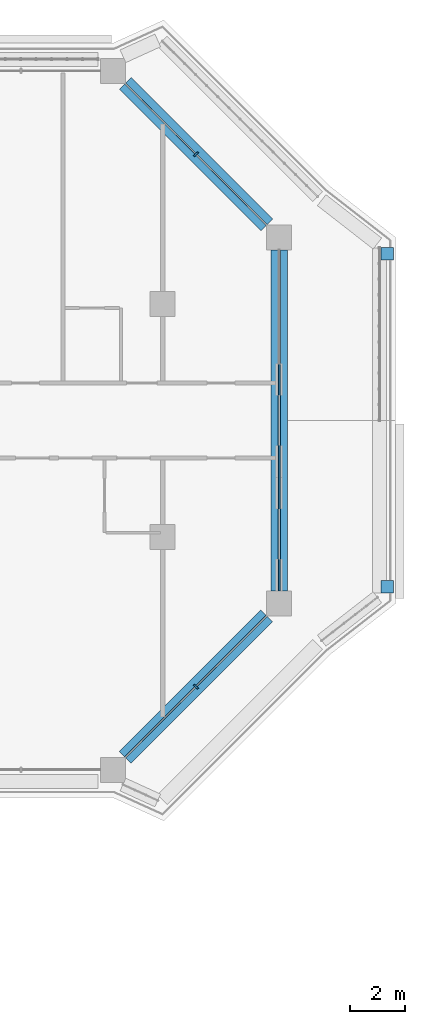
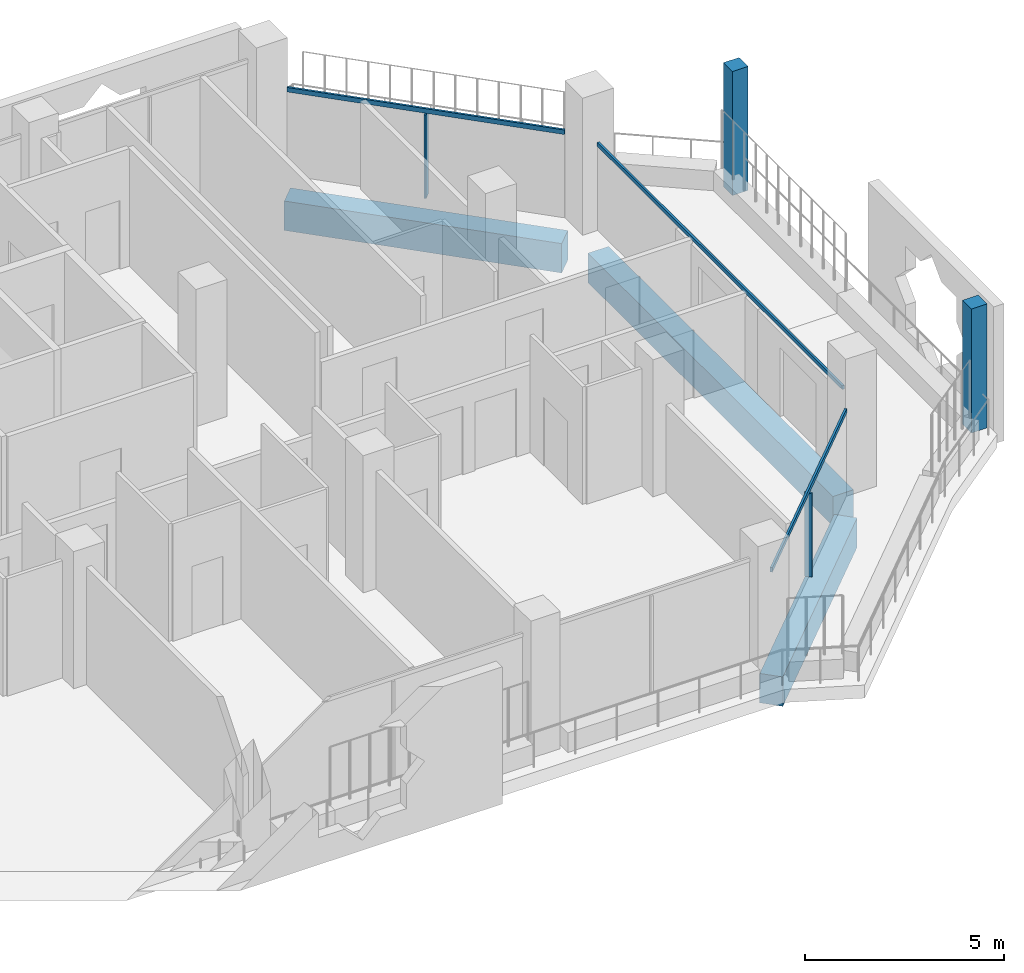
# One storey, part 7 of 23: 7 members, 3 beams, 4 elements without a shape of their own.
"""IFC4 building model written with IfcOpenShell, lengths in metres."""

from ifc_helpers import new_model, si_unit, direction, frame, origin, origin_2d, place, context, subcontext, project, spatial, rectangle, extrude, material, layer, layer_set, material_profile, profile_set, type_object, element, aggregate, save


model = new_model("IFC4")

# Units and contexts
model_context = context("Model", 3, precision=1e-05, world=origin(), true_north=direction((0.0, 1.0)))
body_context = subcontext(model_context, "Body", "Model", "MODEL_VIEW")
ifc_project = project(units=[si_unit("LENGTHUNIT", "METRE"), si_unit("AREAUNIT", "SQUARE_METRE"), si_unit("VOLUMEUNIT", "CUBIC_METRE"), si_unit("PLANEANGLEUNIT", "RADIAN"), si_unit("MASSUNIT", "GRAM", prefix="KILO")], contexts=[model_context])

# Site, building, storey
site_placement = place(None, origin())
site = spatial("IfcSite", under=ifc_project, at=site_placement, CompositionType="ELEMENT")
building_placement = place(site_placement, origin())
building = spatial("IfcBuilding", under=site, at=building_placement, Name="Kawkab Arch Medical Tower", CompositionType="ELEMENT")
storey_placement = place(building_placement, frame((0.0, 0.0, 247.39990234375)))
storey = spatial("IfcBuildingStorey", under=building, at=storey_placement, Name="L57", CompositionType="ELEMENT", Elevation=247.39990234375)

# Curtain wall, member
ifc_material_1 = material(Name="Bronze anodised aluminium curtain wall frame", Category="aluminium")
ifc_layer_1 = layer(ifc_material_1, 0.159912109375)
ifc_layer_set_1 = layer_set([ifc_layer_1], Name="Bronze anodised aluminium curtain wall frame")
curtain_wall_type_1 = type_object("IfcCurtainWallType", Name="CW1 ward curtain wall", PredefinedType="NOTDEFINED", material=ifc_layer_set_1)
placement = place(storey_placement, origin())
curtain_wall_1 = element("IfcCurtainWall", 1, at=placement, inside=storey, type_object=curtain_wall_type_1, Name="CW1 Ward curtain wall R09", PredefinedType="NOTDEFINED")
ifc_material_2 = material(Name="Bronze anodised aluminium curtain wall frame", Category="aluminium")
ifc_material_profile_1 = material_profile(ifc_material_2, rectangle(XDim=0.06005859375, YDim=0.1201171875, at=origin_2d()), Name="AL 60x120")
ifc_profile_set_1 = profile_set([ifc_material_profile_1], Name="Bronze anodised aluminium curtain wall frame")
member_type_1 = type_object("IfcMemberType", Name="CW1 transom 120 x 60", PredefinedType="USERDEFINED", material=ifc_profile_set_1)
member_1_placement = place(storey_placement, frame((63.0, -18.75, 2.64013671875), z_axis=(0.0, 1.0, 0.0), x_axis=(-1.0, 0.0, 0.0)))
member_1 = element("IfcMember", 2, at=member_1_placement, type_object=member_type_1, Name="CW1 transom 1", ObjectType="TRANSOM", PredefinedType="USERDEFINED", context=body_context, shape_type="SweptSolid", body=[
    extrude(rectangle(XDim=0.06005859375, YDim=0.1201171875, at=origin_2d()), origin(), (0.0, 0.0, 1.0), 12.300048828125),
])
aggregate(curtain_wall_1, [member_1])

ifc_material_3 = material(Name="Bronze anodised aluminium curtain wall frame", Category="aluminium")
ifc_layer_2 = layer(ifc_material_3, 0.159912109375)
ifc_layer_set_2 = layer_set([ifc_layer_2], Name="Bronze anodised aluminium curtain wall frame")
curtain_wall_type_2 = type_object("IfcCurtainWallType", Name="CW2 chamfer curtain wall", PredefinedType="NOTDEFINED", material=ifc_layer_set_2)
curtain_wall_2 = element("IfcCurtainWall", 3, at=placement, inside=storey, type_object=curtain_wall_type_2, Name="CW2 Chamfer curtain wall R08", PredefinedType="NOTDEFINED")
ifc_material_4 = material(Name="Bronze anodised aluminium curtain wall frame", Category="aluminium")
ifc_material_profile_2 = material_profile(ifc_material_4, rectangle(XDim=0.199951171875, YDim=0.06005859375, at=origin_2d()), Name="AL 60x200")
ifc_profile_set_2 = profile_set([ifc_material_profile_2], Name="Bronze anodised aluminium curtain wall frame")
member_type_2 = type_object("IfcMemberType", Name="CW2 mullion 60 x 200", PredefinedType="MULLION", material=ifc_profile_set_2)
member_2_placement = place(storey_placement, frame((60.0, -22.199951171875, 0.0), z_axis=(0.0, 0.0, 1.0), x_axis=(-0.707106781187, 0.707106781187, 0.0)))
member_2 = element("IfcMember", 4, at=member_2_placement, type_object=member_type_2, Name="CW2 mullion 1.1", PredefinedType="MULLION", context=body_context, shape_type="SweptSolid", body=[
    extrude(rectangle(XDim=0.199951171875, YDim=0.06005859375, at=origin_2d()), origin(), (0.0, 0.0, 1.0), 2.56005859375),
])

curtain_wall_3 = element("IfcCurtainWall", 5, at=placement, inside=storey, type_object=curtain_wall_type_2, Name="CW2 Chamfer curtain wall R10", PredefinedType="NOTDEFINED")
member_3_placement = place(storey_placement, frame((60.0, -3.0, 0.0), z_axis=(0.0, 0.0, 1.0), x_axis=(-0.707106781187, -0.707106781187, 0.0)))
member_3 = element("IfcMember", 6, at=member_3_placement, type_object=member_type_2, Name="CW2 mullion 1.1", PredefinedType="MULLION", context=body_context, shape_type="SweptSolid", body=[
    extrude(rectangle(XDim=0.199951171875, YDim=0.06005859375, at=origin_2d()), origin(), (0.0, 0.0, 1.0), 2.56005859375),
])

# Member
ifc_material_5 = material(Name="Bronze anodised aluminium curtain wall frame", Category="aluminium")
ifc_material_profile_3 = material_profile(ifc_material_5, rectangle(XDim=0.06005859375, YDim=0.139892578125, at=origin_2d()), Name="AL 60x140")
ifc_profile_set_3 = profile_set([ifc_material_profile_3], Name="Bronze anodised aluminium curtain wall frame")
member_type_3 = type_object("IfcMemberType", Name="CW2 transom 140 x 60", PredefinedType="USERDEFINED", material=ifc_profile_set_3)
member_4_placement = place(storey_placement, frame((57.449951171875, -24.75, 2.630126953125), z_axis=(0.707106781187, 0.707106781187, 0.0), x_axis=(-0.707106781187, 0.707106781187, 0.0)))
member_4 = element("IfcMember", 7, at=member_4_placement, type_object=member_type_3, Name="CW2 transom 1", ObjectType="TRANSOM", PredefinedType="USERDEFINED", context=body_context, shape_type="SweptSolid", body=[
    extrude(rectangle(XDim=0.06005859375, YDim=0.139892578125, at=origin_2d()), origin(), (0.0, 0.0, 1.0), 7.212646484375),
])

aggregate(curtain_wall_2, [member_4, member_2])

member_5_placement = place(storey_placement, frame((62.550048828125, -5.550048828125, 2.630126953125), z_axis=(-0.707106781187, 0.707106781187, 0.0), x_axis=(-0.707106781187, -0.707106781187, 0.0)))
member_5 = element("IfcMember", 8, at=member_5_placement, type_object=member_type_3, Name="CW2 transom 1", ObjectType="TRANSOM", PredefinedType="USERDEFINED", context=body_context, shape_type="SweptSolid", body=[
    extrude(rectangle(XDim=0.06005859375, YDim=0.139892578125, at=origin_2d()), origin(), (0.0, 0.0, 1.0), 7.212646484375),
])

aggregate(curtain_wall_3, [member_5, member_3])

# Curtain wall, members
ifc_material_6 = material(Name="Bronze anodised aluminium climber frame, planted", Category="aluminium")
ifc_layer_3 = layer(ifc_material_6, 0.449951171875)
ifc_layer_set_3 = layer_set([ifc_layer_3], Name="Bronze anodised aluminium climber frame, planted")
curtain_wall_type_3 = type_object("IfcCurtainWallType", Name="Planted climber frame", PredefinedType="NOTDEFINED", material=ifc_layer_set_3)
curtain_wall_4 = element("IfcCurtainWall", 9, at=placement, inside=storey, type_object=curtain_wall_type_3, Name="Planted climber frame L57", PredefinedType="NOTDEFINED")
ifc_material_7 = material(Name="Bronze anodised aluminium climber frame, planted", Category="aluminium")
ifc_material_profile_4 = material_profile(ifc_material_7, rectangle(XDim=0.449951171875, YDim=0.449951171875, at=origin_2d()), Name="Post 450x450")
ifc_profile_set_4 = profile_set([ifc_material_profile_4], Name="Bronze anodised aluminium climber frame, planted")
member_type_4 = type_object("IfcMemberType", Name="Planted climber post 450 x 450", PredefinedType="MULLION", material=ifc_profile_set_4)
member_6_placement = place(storey_placement, frame((66.89990234375, -6.596923828125, 0.0), z_axis=(0.0, 0.0, 1.0), x_axis=(1.0, 0.0, 0.0)))
member_6 = element("IfcMember", 10, at=member_6_placement, type_object=member_type_4, Name="Planted climber post L57.LOG-01-01.1", PredefinedType="MULLION", context=body_context, shape_type="SweptSolid", body=[
    extrude(rectangle(XDim=0.449951171875, YDim=0.449951171875, at=origin_2d()), origin(), (0.0, 0.0, 1.0), 3.800048828125),
])
member_7_placement = place(storey_placement, frame((66.89990234375, -18.60302734375, 0.0), z_axis=(0.0, 0.0, 1.0), x_axis=(1.0, 0.0, 0.0)))
member_7 = element("IfcMember", 11, at=member_7_placement, type_object=member_type_4, Name="Planted climber post L57.LOG-01-01.2", PredefinedType="MULLION", context=body_context, shape_type="SweptSolid", body=[
    extrude(rectangle(XDim=0.449951171875, YDim=0.449951171875, at=origin_2d()), origin(), (0.0, 0.0, 1.0), 3.800048828125),
])
aggregate(curtain_wall_4, [member_6, member_7])

# Beams
ifc_material_8 = material(Name="Concrete C45/55", Category="concrete")
ifc_material_profile_5 = material_profile(ifc_material_8, rectangle(XDim=0.60009765625, YDim=0.89990234375, at=origin_2d()), Name="RC 600x900")
ifc_profile_set_5 = profile_set([ifc_material_profile_5], Name="Concrete C45/55")
beam_type = type_object("IfcBeamType", Name="RC 600x900 beam C45/55", PredefinedType="BEAM", material=ifc_profile_set_5)
beam_1_placement = place(storey_placement, frame((57.449951171875, -0.449951171875, -1.0498046875), z_axis=(0.707106781187, -0.707106781187, 0.0), x_axis=(0.707106781187, 0.707106781187, 0.0)))
element("IfcBeam", 12, at=beam_1_placement, inside=storey, type_object=beam_type, Name="Overhang edge beam L57-01", PredefinedType="BEAM", context=body_context, shape_type="SweptSolid", body=[
    extrude(rectangle(XDim=0.60009765625, YDim=0.89990234375, at=origin_2d()), origin(), (0.0, 0.0, 1.0), 7.212646484375),
])
beam_2_placement = place(storey_placement, frame((63.0, -6.449951171875, -1.0498046875), z_axis=(0.0, -1.0, 0.0), x_axis=(1.0, 0.0, 0.0)))
element("IfcBeam", 13, at=beam_2_placement, inside=storey, type_object=beam_type, Name="Overhang edge beam L57-02", PredefinedType="BEAM", context=body_context, shape_type="SweptSolid", body=[
    extrude(rectangle(XDim=0.60009765625, YDim=0.89990234375, at=origin_2d()), origin(), (0.0, 0.0, 1.0), 12.300048828125),
])
beam_3_placement = place(storey_placement, frame((62.550048828125, -19.64990234375, -1.0498046875), z_axis=(-0.707106781187, -0.707106781187, 0.0), x_axis=(0.707106781187, -0.707106781187, 0.0)))
element("IfcBeam", 14, at=beam_3_placement, inside=storey, type_object=beam_type, Name="Overhang edge beam L57-03", PredefinedType="BEAM", context=body_context, shape_type="SweptSolid", body=[
    extrude(rectangle(XDim=0.60009765625, YDim=0.89990234375, at=origin_2d()), origin(), (0.0, 0.0, 1.0), 7.212646484375),
])

save(model, "model.ifc")
